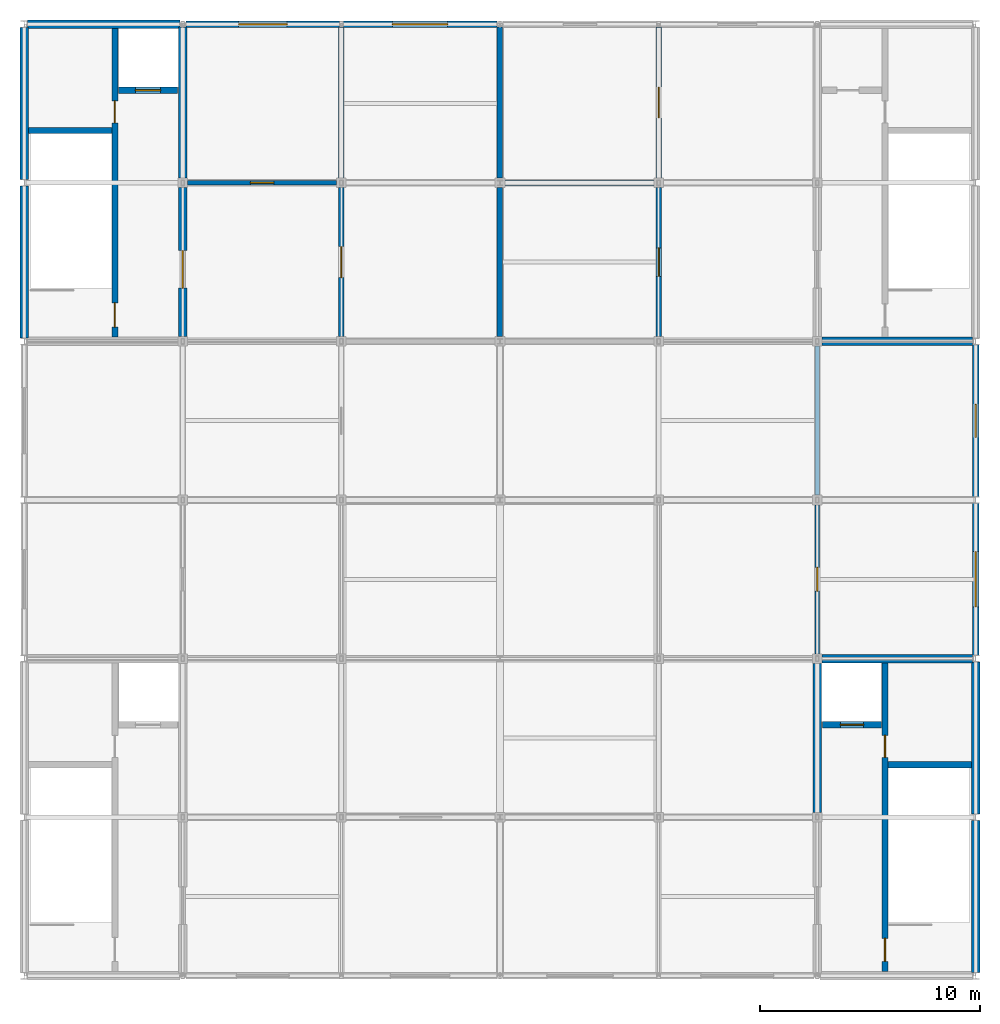
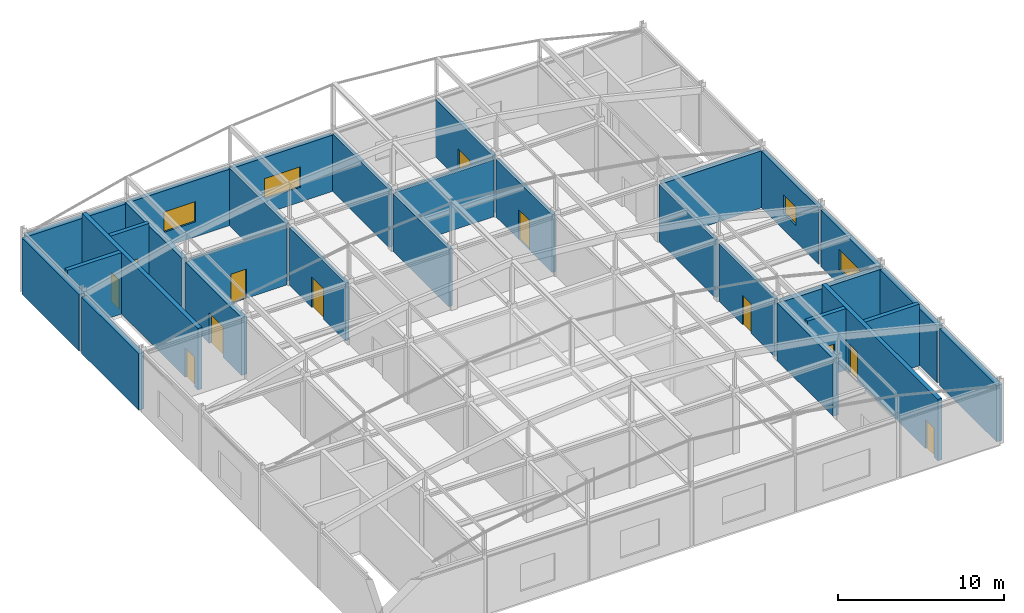
# One storey, part 21 of 23: 30 walls, 12 doors, 4 windows, 16 openings.
"""IFC4 building model written with IfcOpenShell, lengths in metres."""

from ifc_helpers import new_model, si_unit, direction, frame, frame_2d, origin, place, context, subcontext, project, spatial, rectangle, extrude, material, layer, layer_set, type_object, element, fill, save


model = new_model("IFC4")

# Units and contexts
model_context = context("Model", 3, precision=1e-05, world=origin(), true_north=direction((0.0, 1.0)))
body_context = subcontext(model_context, "Body", "Model", "MODEL_VIEW")
ifc_project = project(units=[si_unit("LENGTHUNIT", "METRE"), si_unit("AREAUNIT", "SQUARE_METRE"), si_unit("VOLUMEUNIT", "CUBIC_METRE"), si_unit("PLANEANGLEUNIT", "RADIAN"), si_unit("MASSUNIT", "GRAM", prefix="KILO")], contexts=[model_context])

# Site, building, storey
site_placement = place(None, origin())
site = spatial("IfcSite", under=ifc_project, at=site_placement, CompositionType="ELEMENT")
building_placement = place(site_placement, origin())
building = spatial("IfcBuilding", under=site, at=building_placement, Name="Cendaluz Park School", CompositionType="ELEMENT")
storey_placement = place(building_placement, frame((0.0, 0.0, 67.199951171875)))
storey = spatial("IfcBuildingStorey", under=building, at=storey_placement, Name="L16", CompositionType="ELEMENT", Elevation=67.199951171875)

# Wall, opening, door
ifc_material_1 = material(Name="Gypsum Plasterboard on Cold-Formed Stud", Category="gypsum")
ifc_layer_1 = layer(ifc_material_1, 0.199951171875)
ifc_layer_set_1 = layer_set([ifc_layer_1], Name="Gypsum Plasterboard on Cold-Formed Stud")
wall_type_1 = type_object("IfcWallType", Name="W-AC20", PredefinedType="PARTITIONING", material=ifc_layer_set_1)
wall_1_placement = place(storey_placement, frame((72.219970703125, 50.39990234375, 0.0), z_axis=(0.0, 0.0, 1.0), x_axis=(1.0, 0.0, 0.0)))
wall_1 = element("IfcWall", 1, at=wall_1_placement, inside=storey, type_object=wall_type_1, Name="WL-FQ-BK9", PredefinedType="PARTITIONING", context=body_context, shape_type="SweptSolid", body=[
    extrude(rectangle(XDim=6.760009765625, YDim=0.199951171875, at=frame_2d((3.3798828125, 0.0))), origin(), (0.0, 0.0, 1.0), 4.199951171875),
])
opening_1_placement = place(wall_1_placement, frame((2.85009765625, 0.0, 0.0)))
opening_1 = element("IfcOpeningElement", 2, at=opening_1_placement, cuts=wall_1, Name="Opening DCL-04", PredefinedType="OPENING", context=body_context, shape_type="SweptSolid", body=[
    extrude(rectangle(XDim=1.06005859375, YDim=2.159912109375, at=frame_2d((0.530029296875, 1.080078125))), frame((0.0, 0.112060546875, 0.0), z_axis=(0.0, -1.0, 0.0), x_axis=(1.0, 0.0, 0.0)), (0.0, 0.0, 1.0), 0.223876953125),
])
ifc_material_2 = material(Name="Solid Core Hardwood", Category="wood")
door_type_1 = type_object("IfcDoorType", Name="DCL-04", OperationType="NOTDEFINED", PredefinedType="DOOR", material=ifc_material_2)
door_1_placement = place(opening_1_placement, origin())
door_1 = element("IfcDoor", 3, at=door_1_placement, inside=storey, type_object=door_type_1, Name="D-L16-023", OperationType="SINGLE_SWING_RIGHT", OverallHeight=2.159912109375, OverallWidth=1.06005859375, PredefinedType="DOOR", context=body_context, shape_type="SweptSolid", body=[
    extrude(rectangle(XDim=1.06005859375, YDim=2.159912109375, at=frame_2d((0.530029296875, 1.080078125))), frame((0.0, 0.02490234375, 0.0), z_axis=(0.0, -1.0, 0.0), x_axis=(1.0, 0.0, 0.0)), (0.0, 0.0, 1.0), 0.050048828125),
])
fill(opening_1, door_1)

ifc_layer_2 = layer(ifc_material_1, 0.25)
ifc_layer_set_2 = layer_set([ifc_layer_2], Name="Gypsum Plasterboard on Cold-Formed Stud")
wall_type_2 = type_object("IfcWallType", Name="W-CP25", PredefinedType="PARTITIONING", material=ifc_layer_set_2)
wall_2_placement = place(storey_placement, frame((79.199951171875, 43.419921875, 0.0), z_axis=(0.0, 0.0, 1.0), x_axis=(0.0, 1.0, 0.0)))
wall_2 = element("IfcWall", 4, at=wall_2_placement, inside=storey, type_object=wall_type_2, Name="WL-FQ-BK0", PredefinedType="PARTITIONING", context=body_context, shape_type="SweptSolid", body=[
    extrude(rectangle(XDim=6.760009765625, YDim=0.25, at=frame_2d((3.3798828125, 0.0))), origin(), (0.0, 0.0, 1.0), 4.260009765625),
])
opening_2_placement = place(wall_2_placement, frame((2.679931640625, 0.0, 0.0)))
opening_2 = element("IfcOpeningElement", 5, at=opening_2_placement, cuts=wall_2, Name="Opening DPL-01", PredefinedType="OPENING", context=body_context, shape_type="SweptSolid", body=[
    extrude(rectangle(XDim=1.39990234375, YDim=2.25, at=frame_2d((0.699951171875, 1.125))), frame((0.0, 0.136962890625, 0.0), z_axis=(0.0, -1.0, 0.0), x_axis=(1.0, 0.0, 0.0)), (0.0, 0.0, 1.0), 0.27392578125),
])
door_type_2 = type_object("IfcDoorType", Name="DPL-01", OperationType="DOUBLE_DOOR_SINGLE_SWING", PredefinedType="DOOR", material=ifc_material_2)
door_2_placement = place(opening_2_placement, origin())
door_2 = element("IfcDoor", 6, at=door_2_placement, inside=storey, type_object=door_type_2, Name="D-L16-019", OperationType="DOUBLE_DOOR_SINGLE_SWING", OverallHeight=2.25, OverallWidth=1.39990234375, PredefinedType="DOOR", context=body_context, shape_type="SweptSolid", body=[
    extrude(rectangle(XDim=1.39990234375, YDim=2.25, at=frame_2d((0.699951171875, 1.125))), frame((0.0, 0.02490234375, 0.0), z_axis=(0.0, -1.0, 0.0), x_axis=(1.0, 0.0, 0.0)), (0.0, 0.0, 1.0), 0.050048828125),
])
fill(opening_2, door_2)

# Walls
wall_3_placement = place(storey_placement, frame((86.39990234375, 43.419921875, 0.0), z_axis=(0.0, 0.0, 1.0), x_axis=(0.0, 1.0, 0.0)))
element("IfcWall", 7, at=wall_3_placement, inside=storey, type_object=wall_type_2, Name="WL-FQ-BK1", PredefinedType="PARTITIONING", context=body_context, shape_type="SweptSolid", body=[
    extrude(rectangle(XDim=6.760009765625, YDim=0.25, at=frame_2d((3.3798828125, 0.0))), origin(), (0.0, 0.0, 1.0), 4.260009765625),
])
wall_4_placement = place(storey_placement, frame((79.199951171875, 50.6201171875, 0.0), z_axis=(0.0, 0.0, 1.0), x_axis=(0.0, 1.0, 0.0)))
element("IfcWall", 8, at=wall_4_placement, inside=storey, type_object=wall_type_2, Name="WL-FQ-BK2", PredefinedType="PARTITIONING", context=body_context, shape_type="SweptSolid", body=[
    extrude(rectangle(XDim=6.85498046875, YDim=0.25, at=frame_2d((3.427490234375, 0.0))), origin(), (0.0, 0.0, 1.0), 4.260009765625),
])
wall_5_placement = place(storey_placement, frame((86.39990234375, 50.6201171875, 0.0), z_axis=(0.0, 0.0, 1.0), x_axis=(0.0, 1.0, 0.0)))
element("IfcWall", 9, at=wall_5_placement, inside=storey, type_object=wall_type_2, Name="WL-FQ-BK3", PredefinedType="PARTITIONING", context=body_context, shape_type="SweptSolid", body=[
    extrude(rectangle(XDim=6.84326171875, YDim=0.25, at=frame_2d((3.421630859375, 0.0))), origin(), (0.0, 0.0, 1.0), 4.260009765625),
])
wall_6_placement = place(storey_placement, frame((86.6201171875, 50.39990234375, 0.0), z_axis=(0.0, 0.0, 1.0), x_axis=(1.0, 0.0, 0.0)))
element("IfcWall", 10, at=wall_6_placement, inside=storey, type_object=wall_type_2, Name="WL-FQ-BK4", PredefinedType="PARTITIONING", context=body_context, shape_type="SweptSolid", body=[
    extrude(rectangle(XDim=6.759765625, YDim=0.25, at=frame_2d((3.3798828125, 0.0))), origin(), (0.0, 0.0, 1.0), 4.199951171875),
])

# Wall, opening, door
wall_7_placement = place(storey_placement, frame((93.60009765625, 43.419921875, 0.0), z_axis=(0.0, 0.0, 1.0), x_axis=(0.0, 1.0, 0.0)))
wall_7 = element("IfcWall", 11, at=wall_7_placement, inside=storey, type_object=wall_type_2, Name="WL-FQ-BK5", PredefinedType="PARTITIONING", context=body_context, shape_type="SweptSolid", body=[
    extrude(rectangle(XDim=6.760009765625, YDim=0.25, at=frame_2d((3.3798828125, 0.0))), origin(), (0.0, 0.0, 1.0), 4.260009765625),
])
opening_3_placement = place(wall_7_placement, frame((2.72998046875, 0.0, 0.0)))
opening_3 = element("IfcOpeningElement", 12, at=opening_3_placement, cuts=wall_7, Name="Opening DPL-02", PredefinedType="OPENING", context=body_context, shape_type="SweptSolid", body=[
    extrude(rectangle(XDim=1.300048828125, YDim=2.199951171875, at=frame_2d((0.64990234375, 1.10009765625))), frame((0.0, 0.136962890625, 0.0), z_axis=(0.0, -1.0, 0.0), x_axis=(1.0, 0.0, 0.0)), (0.0, 0.0, 1.0), 0.27392578125),
])
door_type_3 = type_object("IfcDoorType", Name="DPL-02", OperationType="DOUBLE_DOOR_SINGLE_SWING", PredefinedType="DOOR", material=ifc_material_2)
door_3_placement = place(opening_3_placement, frame((1.300048828125, 0.0, 0.0), z_axis=(0.0, 0.0, 1.0), x_axis=(-1.0, 0.0, 0.0)))
door_3 = element("IfcDoor", 13, at=door_3_placement, inside=storey, type_object=door_type_3, Name="D-L16-020", OperationType="DOUBLE_DOOR_SINGLE_SWING", OverallHeight=2.199951171875, OverallWidth=1.300048828125, PredefinedType="DOOR", context=body_context, shape_type="SweptSolid", body=[
    extrude(rectangle(XDim=1.300048828125, YDim=2.199951171875, at=frame_2d((0.64990234375, 1.10009765625))), frame((0.0, 0.02490234375, 0.0), z_axis=(0.0, -1.0, 0.0), x_axis=(1.0, 0.0, 0.0)), (0.0, 0.0, 1.0), 0.050048828125),
])
fill(opening_3, door_3)

wall_8_placement = place(storey_placement, frame((93.60009765625, 50.6201171875, 0.0), z_axis=(0.0, 0.0, 1.0), x_axis=(0.0, 1.0, 0.0)))
wall_8 = element("IfcWall", 14, at=wall_8_placement, inside=storey, type_object=wall_type_2, Name="WL-FQ-BK6", PredefinedType="PARTITIONING", context=body_context, shape_type="SweptSolid", body=[
    extrude(rectangle(XDim=6.85498046875, YDim=0.25, at=frame_2d((3.427490234375, 0.0))), origin(), (0.0, 0.0, 1.0), 4.260009765625),
])
opening_4_placement = place(wall_8_placement, frame((2.7275390625, 0.0, 0.0)))
opening_4 = element("IfcOpeningElement", 15, at=opening_4_placement, cuts=wall_8, Name="Opening DPL-01", PredefinedType="OPENING", context=body_context, shape_type="SweptSolid", body=[
    extrude(rectangle(XDim=1.39990234375, YDim=2.25, at=frame_2d((0.699951171875, 1.125))), frame((0.0, 0.136962890625, 0.0), z_axis=(0.0, -1.0, 0.0), x_axis=(1.0, 0.0, 0.0)), (0.0, 0.0, 1.0), 0.27392578125),
])
door_4_placement = place(opening_4_placement, frame((1.39990234375, 0.0, 0.0), z_axis=(0.0, 0.0, 1.0), x_axis=(-1.0, 0.0, 0.0)))
door_4 = element("IfcDoor", 16, at=door_4_placement, inside=storey, type_object=door_type_2, Name="D-L16-021", OperationType="DOUBLE_DOOR_SINGLE_SWING", OverallHeight=2.25, OverallWidth=1.39990234375, PredefinedType="DOOR", context=body_context, shape_type="SweptSolid", body=[
    extrude(rectangle(XDim=1.39990234375, YDim=2.25, at=frame_2d((0.699951171875, 1.125))), frame((0.0, 0.02490234375, 0.0), z_axis=(0.0, -1.0, 0.0), x_axis=(1.0, 0.0, 0.0)), (0.0, 0.0, 1.0), 0.050048828125),
])
fill(opening_4, door_4)

# Wall, opening, window
ifc_material_3 = material(Name="Cross-laminated timber CLT C24", Category="wood")
ifc_layer_3 = layer(ifc_material_3, 0.300048828125)
ifc_layer_set_3 = layer_set([ifc_layer_3], Name="Cross-laminated timber CLT C24")
wall_type_3 = type_object("IfcWallType", Name="W-EX30", PredefinedType="SOLIDWALL", material=ifc_layer_set_3)
wall_9_placement = place(storey_placement, frame((72.136474609375, 57.60009765625, 0.0), z_axis=(0.0, 0.0, 1.0), x_axis=(1.0, 0.0, 0.0)))
wall_9 = element("IfcWall", 17, at=wall_9_placement, inside=storey, type_object=wall_type_3, Name="WL-FQ-AA3", PredefinedType="SOLIDWALL", context=body_context, shape_type="SweptSolid", body=[
    extrude(rectangle(XDim=6.988525390625, YDim=0.300048828125, at=frame_2d((3.494140625, 0.0))), origin(), (0.0, 0.0, 1.0), 4.16015625),
])
opening_5_placement = place(wall_9_placement, frame((2.394287109375, 0.0, 1.10009765625)))
opening_5 = element("IfcOpeningElement", 18, at=opening_5_placement, cuts=wall_9, Name="Opening WN-18", PredefinedType="OPENING", context=body_context, shape_type="SweptSolid", body=[
    extrude(rectangle(XDim=2.199951171875, YDim=1.5, at=frame_2d((1.10009765625, 0.75))), frame((0.0, 0.162109375, 0.0), z_axis=(0.0, -1.0, 0.0), x_axis=(1.0, 0.0, 0.0)), (0.0, 0.0, 1.0), 0.323974609375),
])
ifc_material_4 = material(Name="Tempered Low-E Double Glazing", Category="glass")
window_type_1 = type_object("IfcWindowType", Name="WN-18", PartitioningType="SINGLE_PANEL", PredefinedType="WINDOW", material=ifc_material_4)
window_1_placement = place(opening_5_placement, origin())
window_1 = element("IfcWindow", 19, at=window_1_placement, inside=storey, type_object=window_type_1, Name="WN-L16-004", OverallHeight=1.5, OverallWidth=2.199951171875, PartitioningType="SINGLE_PANEL", PredefinedType="WINDOW", context=body_context, shape_type="SweptSolid", body=[
    extrude(rectangle(XDim=2.199951171875, YDim=1.5, at=frame_2d((1.10009765625, 0.75))), frame((0.0, 0.030029296875, 0.0), z_axis=(0.0, -1.0, 0.0), x_axis=(1.0, 0.0, 0.0)), (0.0, 0.0, 1.0), 0.06005859375),
])
fill(opening_5, window_1)

wall_10_placement = place(storey_placement, frame((79.27490234375, 57.60009765625, 0.0), z_axis=(0.0, 0.0, 1.0), x_axis=(1.0, 0.0, 0.0)))
wall_10 = element("IfcWall", 20, at=wall_10_placement, inside=storey, type_object=wall_type_3, Name="WL-FQ-AA5", PredefinedType="SOLIDWALL", context=body_context, shape_type="SweptSolid", body=[
    extrude(rectangle(XDim=6.988525390625, YDim=0.300048828125, at=frame_2d((3.494140625, 0.0))), origin(), (0.0, 0.0, 1.0), 4.16015625),
])
opening_6_placement = place(wall_10_placement, frame((2.244384765625, 0.0, 1.10009765625)))
opening_6 = element("IfcOpeningElement", 21, at=opening_6_placement, cuts=wall_10, Name="Opening WN-19", PredefinedType="OPENING", context=body_context, shape_type="SweptSolid", body=[
    extrude(rectangle(XDim=2.5, YDim=1.5, at=frame_2d((1.25, 0.75))), frame((0.0, 0.162109375, 0.0), z_axis=(0.0, -1.0, 0.0), x_axis=(1.0, 0.0, 0.0)), (0.0, 0.0, 1.0), 0.323974609375),
])
window_type_2 = type_object("IfcWindowType", Name="WN-19", PartitioningType="SINGLE_PANEL", PredefinedType="WINDOW", material=ifc_material_4)
window_2_placement = place(opening_6_placement, origin())
window_2 = element("IfcWindow", 22, at=window_2_placement, inside=storey, type_object=window_type_2, Name="WN-L16-006", OverallHeight=1.5, OverallWidth=2.5, PartitioningType="SINGLE_PANEL", PredefinedType="WINDOW", context=body_context, shape_type="SweptSolid", body=[
    extrude(rectangle(XDim=2.5, YDim=1.5, at=frame_2d((1.25, 0.75))), frame((0.0, 0.030029296875, 0.0), z_axis=(0.0, -1.0, 0.0), x_axis=(1.0, 0.0, 0.0)), (0.0, 0.0, 1.0), 0.06005859375),
])
fill(opening_6, window_2)

wall_11_placement = place(storey_placement, frame((108.0, 28.949951171875, 0.0), z_axis=(0.0, 0.0, 1.0), x_axis=(0.0, 1.0, 0.0)))
wall_11 = element("IfcWall", 23, at=wall_11_placement, inside=storey, type_object=wall_type_3, Name="WL-FQ-AB0", PredefinedType="SOLIDWALL", context=body_context, shape_type="SweptSolid", body=[
    extrude(rectangle(XDim=6.905029296875, YDim=0.300048828125, at=frame_2d((3.45263671875, 0.0))), origin(), (0.0, 0.0, 1.0), 4.16015625),
])
opening_7_placement = place(wall_11_placement, frame((2.202392578125, 0.0, 1.10009765625)))
opening_7 = element("IfcOpeningElement", 24, at=opening_7_placement, cuts=wall_11, Name="Opening WN-19", PredefinedType="OPENING", context=body_context, shape_type="SweptSolid", body=[
    extrude(rectangle(XDim=2.5, YDim=1.5, at=frame_2d((1.25, 0.75))), frame((0.0, 0.162109375, 0.0), z_axis=(0.0, -1.0, 0.0), x_axis=(1.0, 0.0, 0.0)), (0.0, 0.0, 1.0), 0.323974609375),
])
window_3_placement = place(opening_7_placement, origin())
window_3 = element("IfcWindow", 25, at=window_3_placement, inside=storey, type_object=window_type_2, Name="WN-L16-011", OverallHeight=1.5, OverallWidth=2.5, PartitioningType="SINGLE_PANEL", PredefinedType="WINDOW", context=body_context, shape_type="SweptSolid", body=[
    extrude(rectangle(XDim=2.5, YDim=1.5, at=frame_2d((1.25, 0.75))), frame((0.0, 0.030029296875, 0.0), z_axis=(0.0, -1.0, 0.0), x_axis=(1.0, 0.0, 0.0)), (0.0, 0.0, 1.0), 0.06005859375),
])
fill(opening_7, window_3)

wall_12_placement = place(storey_placement, frame((108.0, 36.14501953125, 0.0), z_axis=(0.0, 0.0, 1.0), x_axis=(0.0, 1.0, 0.0)))
wall_12 = element("IfcWall", 26, at=wall_12_placement, inside=storey, type_object=wall_type_3, Name="WL-FQ-AB1", PredefinedType="SOLIDWALL", context=body_context, shape_type="SweptSolid", body=[
    extrude(rectangle(XDim=6.905029296875, YDim=0.300048828125, at=frame_2d((3.45263671875, 0.0))), origin(), (0.0, 0.0, 1.0), 4.16015625),
])
opening_8_placement = place(wall_12_placement, frame((2.702392578125, 0.0, 1.199951171875)))
opening_8 = element("IfcOpeningElement", 27, at=opening_8_placement, cuts=wall_12, Name="Opening WN-20", PredefinedType="OPENING", context=body_context, shape_type="SweptSolid", body=[
    extrude(rectangle(XDim=1.5, YDim=1.35009765625, at=frame_2d((0.75, 0.675048828125))), frame((0.0, 0.162109375, 0.0), z_axis=(0.0, -1.0, 0.0), x_axis=(1.0, 0.0, 0.0)), (0.0, 0.0, 1.0), 0.323974609375),
])
window_type_3 = type_object("IfcWindowType", Name="WN-20", PartitioningType="SINGLE_PANEL", PredefinedType="WINDOW", material=ifc_material_4)
window_4_placement = place(opening_8_placement, origin())
window_4 = element("IfcWindow", 28, at=window_4_placement, inside=storey, type_object=window_type_3, Name="WN-L16-012", OverallHeight=1.35009765625, OverallWidth=1.5, PartitioningType="SINGLE_PANEL", PredefinedType="WINDOW", context=body_context, shape_type="SweptSolid", body=[
    extrude(rectangle(XDim=1.5, YDim=1.35009765625, at=frame_2d((0.75, 0.675048828125))), frame((0.0, 0.030029296875, 0.0), z_axis=(0.0, -1.0, 0.0), x_axis=(1.0, 0.0, 0.0)), (0.0, 0.0, 1.0), 0.06005859375),
])
fill(opening_8, window_4)

# Wall, openings, doors
ifc_material_5 = material(Name="Concrete C40/50", Category="concrete")
ifc_layer_4 = layer(ifc_material_5, 0.280029296875)
ifc_layer_set_4 = layer_set([ifc_layer_4], Name="Concrete C40/50")
wall_type_4 = type_object("IfcWallType", Name="W-FW28", PredefinedType="SHEAR", material=ifc_layer_set_4)
wall_13_placement = place(storey_placement, frame((103.8798828125, 14.60009765625, 0.0), z_axis=(0.0, 0.0, 1.0), x_axis=(0.0, 1.0, 0.0)))
wall_13 = element("IfcWall", 29, at=wall_13_placement, inside=storey, type_object=wall_type_4, Name="WL-FQ-BG7", PredefinedType="SHEAR", context=body_context, shape_type="SweptSolid", body=[
    extrude(rectangle(XDim=14.0, YDim=0.280029296875, at=frame_2d((7.0, 0.0))), origin(), (0.0, 0.0, 1.0), 4.5400390625),
])
opening_9_placement = place(wall_13_placement, frame((0.449951171875, 0.0, 0.0)))
opening_9 = element("IfcOpeningElement", 30, at=opening_9_placement, cuts=wall_13, Name="Opening DST-02", PredefinedType="OPENING", context=body_context, shape_type="SweptSolid", body=[
    extrude(rectangle(XDim=1.050048828125, YDim=2.14990234375, at=frame_2d((0.52490234375, 1.074951171875))), frame((0.0, 0.152099609375, 0.0), z_axis=(0.0, -1.0, 0.0), x_axis=(1.0, 0.0, 0.0)), (0.0, 0.0, 1.0), 0.303955078125),
])
opening_10_placement = place(wall_13_placement, frame((9.719970703125, 0.0, 0.0)))
opening_10 = element("IfcOpeningElement", 31, at=opening_10_placement, cuts=wall_13, Name="Opening DFC-01", PredefinedType="OPENING", context=body_context, shape_type="SweptSolid", body=[
    extrude(rectangle(XDim=1.0, YDim=2.14990234375, at=frame_2d((0.5, 1.074951171875))), frame((0.0, 0.152099609375, 0.0), z_axis=(0.0, -1.0, 0.0), x_axis=(1.0, 0.0, 0.0)), (0.0, 0.0, 1.0), 0.303955078125),
])
door_type_4 = type_object("IfcDoorType", Name="DFC-01", OperationType="NOTDEFINED", PredefinedType="DOOR", material=ifc_material_2)
door_5_placement = place(opening_10_placement, frame((1.0, 0.0, 0.0), z_axis=(0.0, 0.0, 1.0), x_axis=(-1.0, 0.0, 0.0)))
door_5 = element("IfcDoor", 32, at=door_5_placement, inside=storey, type_object=door_type_4, Name="D-L16-007", OperationType="SINGLE_SWING_RIGHT", OverallHeight=2.14990234375, OverallWidth=1.0, PredefinedType="DOOR", context=body_context, shape_type="SweptSolid", body=[
    extrude(rectangle(XDim=1.0, YDim=2.14990234375, at=frame_2d((0.5, 1.074951171875))), frame((0.0, 0.02490234375, 0.0), z_axis=(0.0, -1.0, 0.0), x_axis=(1.0, 0.0, 0.0)), (0.0, 0.0, 1.0), 0.050048828125),
])
fill(opening_10, door_5)
door_type_5 = type_object("IfcDoorType", Name="DST-02", OperationType="NOTDEFINED", PredefinedType="DOOR", material=ifc_material_2)
door_6_placement = place(opening_9_placement, frame((1.050048828125, 0.0, 0.0), z_axis=(0.0, 0.0, 1.0), x_axis=(-1.0, 0.0, 0.0)))
door_6 = element("IfcDoor", 33, at=door_6_placement, inside=storey, type_object=door_type_5, Name="D-L16-006", OperationType="SINGLE_SWING_RIGHT", OverallHeight=2.14990234375, OverallWidth=1.050048828125, PredefinedType="DOOR", context=body_context, shape_type="SweptSolid", body=[
    extrude(rectangle(XDim=1.050048828125, YDim=2.14990234375, at=frame_2d((0.52490234375, 1.074951171875))), frame((0.0, 0.02490234375, 0.0), z_axis=(0.0, -1.0, 0.0), x_axis=(1.0, 0.0, 0.0)), (0.0, 0.0, 1.0), 0.050048828125),
])
fill(opening_9, door_6)

# Wall
wall_14_placement = place(storey_placement, frame((104.02001953125, 23.97998046875, 0.0), z_axis=(0.0, 0.0, 1.0), x_axis=(1.0, 0.0, 0.0)))
element("IfcWall", 34, at=wall_14_placement, inside=storey, type_object=wall_type_4, Name="WL-FQ-BG8", PredefinedType="SHEAR", context=body_context, shape_type="SweptSolid", body=[
    extrude(rectangle(XDim=3.780029296875, YDim=0.280029296875, at=frame_2d((1.89013671875, 0.0))), origin(), (0.0, 0.0, 1.0), 4.5400390625),
])

# Wall, opening, door
wall_15_placement = place(storey_placement, frame((101.0400390625, 25.800048828125, 0.0), z_axis=(0.0, 0.0, 1.0), x_axis=(1.0, 0.0, 0.0)))
wall_15 = element("IfcWall", 35, at=wall_15_placement, inside=storey, type_object=wall_type_4, Name="WL-FQ-BG9", PredefinedType="SHEAR", context=body_context, shape_type="SweptSolid", body=[
    extrude(rectangle(XDim=2.679931640625, YDim=0.280029296875, at=frame_2d((1.33984375, 0.0))), origin(), (0.0, 0.0, 1.0), 4.5400390625),
])
opening_11_placement = place(wall_15_placement, frame((0.81494140625, 0.0, 0.0)))
opening_11 = element("IfcOpeningElement", 36, at=opening_11_placement, cuts=wall_15, Name="Opening LD-02", PredefinedType="OPENING", context=body_context, shape_type="SweptSolid", body=[
    extrude(rectangle(XDim=1.050048828125, YDim=2.199951171875, at=frame_2d((0.52490234375, 1.10009765625))), frame((0.0, 0.152099609375, 0.0), z_axis=(0.0, -1.0, 0.0), x_axis=(1.0, 0.0, 0.0)), (0.0, 0.0, 1.0), 0.303955078125),
])
ifc_material_6 = material(Name="Stainless Steel 316L", Category="steel")
door_type_6 = type_object("IfcDoorType", Name="LD-02", OperationType="DOUBLE_DOOR_SLIDING", PredefinedType="DOOR", material=ifc_material_6)
door_7_placement = place(opening_11_placement, frame((1.050048828125, 0.0, 0.0), z_axis=(0.0, 0.0, 1.0), x_axis=(-1.0, 0.0, 0.0)))
door_7 = element("IfcDoor", 37, at=door_7_placement, inside=storey, type_object=door_type_6, Name="D-L16-008", OperationType="DOUBLE_DOOR_SLIDING", OverallHeight=2.199951171875, OverallWidth=1.050048828125, PredefinedType="DOOR", context=body_context, shape_type="SweptSolid", body=[
    extrude(rectangle(XDim=1.050048828125, YDim=2.199951171875, at=frame_2d((0.52490234375, 1.10009765625))), frame((0.0, 0.02490234375, 0.0), z_axis=(0.0, -1.0, 0.0), x_axis=(1.0, 0.0, 0.0)), (0.0, 0.0, 1.0), 0.050048828125),
])
fill(opening_11, door_7)

# Wall, openings, doors
wall_16_placement = place(storey_placement, frame((68.919921875, 43.39990234375, 0.0), z_axis=(0.0, 0.0, 1.0), x_axis=(0.0, 1.0, 0.0)))
wall_16 = element("IfcWall", 38, at=wall_16_placement, inside=storey, type_object=wall_type_4, Name="WL-FQ-BH6", PredefinedType="SHEAR", context=body_context, shape_type="SweptSolid", body=[
    extrude(rectangle(XDim=14.0, YDim=0.280029296875, at=frame_2d((7.0, 0.0))), origin(), (0.0, 0.0, 1.0), 4.5400390625),
])
opening_12_placement = place(wall_16_placement, frame((0.449951171875, 0.0, 0.0)))
opening_12 = element("IfcOpeningElement", 39, at=opening_12_placement, cuts=wall_16, Name="Opening DST-01", PredefinedType="OPENING", context=body_context, shape_type="SweptSolid", body=[
    extrude(rectangle(XDim=1.10009765625, YDim=2.14990234375, at=frame_2d((0.550048828125, 1.074951171875))), frame((0.0, 0.152099609375, 0.0), z_axis=(0.0, -1.0, 0.0), x_axis=(1.0, 0.0, 0.0)), (0.0, 0.0, 1.0), 0.303955078125),
])
opening_13_placement = place(wall_16_placement, frame((9.719970703125, 0.0, 0.0)))
opening_13 = element("IfcOpeningElement", 40, at=opening_13_placement, cuts=wall_16, Name="Opening DFC-01", PredefinedType="OPENING", context=body_context, shape_type="SweptSolid", body=[
    extrude(rectangle(XDim=1.0, YDim=2.14990234375, at=frame_2d((0.5, 1.074951171875))), frame((0.0, 0.152099609375, 0.0), z_axis=(0.0, -1.0, 0.0), x_axis=(1.0, 0.0, 0.0)), (0.0, 0.0, 1.0), 0.303955078125),
])
door_8_placement = place(opening_13_placement, origin())
door_8 = element("IfcDoor", 41, at=door_8_placement, inside=storey, type_object=door_type_4, Name="D-L16-011", OperationType="SINGLE_SWING_RIGHT", OverallHeight=2.14990234375, OverallWidth=1.0, PredefinedType="DOOR", context=body_context, shape_type="SweptSolid", body=[
    extrude(rectangle(XDim=1.0, YDim=2.14990234375, at=frame_2d((0.5, 1.074951171875))), frame((0.0, 0.02490234375, 0.0), z_axis=(0.0, -1.0, 0.0), x_axis=(1.0, 0.0, 0.0)), (0.0, 0.0, 1.0), 0.050048828125),
])
fill(opening_13, door_8)
door_type_7 = type_object("IfcDoorType", Name="DST-01", OperationType="NOTDEFINED", PredefinedType="DOOR", material=ifc_material_2)
door_9_placement = place(opening_12_placement, origin())
door_9 = element("IfcDoor", 42, at=door_9_placement, inside=storey, type_object=door_type_7, Name="D-L16-010", OperationType="SINGLE_SWING_LEFT", OverallHeight=2.14990234375, OverallWidth=1.10009765625, PredefinedType="DOOR", context=body_context, shape_type="SweptSolid", body=[
    extrude(rectangle(XDim=1.10009765625, YDim=2.14990234375, at=frame_2d((0.550048828125, 1.074951171875))), frame((0.0, 0.02490234375, 0.0), z_axis=(0.0, -1.0, 0.0), x_axis=(1.0, 0.0, 0.0)), (0.0, 0.0, 1.0), 0.050048828125),
])
fill(opening_12, door_9)

# Wall
wall_17_placement = place(storey_placement, frame((65.0, 52.780029296875, 0.0), z_axis=(0.0, 0.0, 1.0), x_axis=(1.0, 0.0, 0.0)))
element("IfcWall", 43, at=wall_17_placement, inside=storey, type_object=wall_type_4, Name="WL-FQ-BH7", PredefinedType="SHEAR", context=body_context, shape_type="SweptSolid", body=[
    extrude(rectangle(XDim=3.780029296875, YDim=0.280029296875, at=frame_2d((1.89013671875, 0.0))), origin(), (0.0, 0.0, 1.0), 4.5400390625),
])

# Wall, opening, door
wall_18_placement = place(storey_placement, frame((69.080078125, 54.60009765625, 0.0), z_axis=(0.0, 0.0, 1.0), x_axis=(1.0, 0.0, 0.0)))
wall_18 = element("IfcWall", 44, at=wall_18_placement, inside=storey, type_object=wall_type_4, Name="WL-FQ-BH8", PredefinedType="SHEAR", context=body_context, shape_type="SweptSolid", body=[
    extrude(rectangle(XDim=2.679931640625, YDim=0.280029296875, at=frame_2d((1.33984375, 0.0))), origin(), (0.0, 0.0, 1.0), 4.5400390625),
])
opening_14_placement = place(wall_18_placement, frame((0.764892578125, 0.0, 0.0)))
opening_14 = element("IfcOpeningElement", 45, at=opening_14_placement, cuts=wall_18, Name="Opening LD-01", PredefinedType="OPENING", context=body_context, shape_type="SweptSolid", body=[
    extrude(rectangle(XDim=1.14990234375, YDim=2.199951171875, at=frame_2d((0.574951171875, 1.10009765625))), frame((0.0, 0.152099609375, 0.0), z_axis=(0.0, -1.0, 0.0), x_axis=(1.0, 0.0, 0.0)), (0.0, 0.0, 1.0), 0.303955078125),
])
door_type_8 = type_object("IfcDoorType", Name="LD-01", OperationType="DOUBLE_DOOR_SLIDING", PredefinedType="DOOR", material=ifc_material_6)
door_10_placement = place(opening_14_placement, frame((1.14990234375, 0.0, 0.0), z_axis=(0.0, 0.0, 1.0), x_axis=(-1.0, 0.0, 0.0)))
door_10 = element("IfcDoor", 46, at=door_10_placement, inside=storey, type_object=door_type_8, Name="D-L16-012", OperationType="DOUBLE_DOOR_SLIDING", OverallHeight=2.199951171875, OverallWidth=1.14990234375, PredefinedType="DOOR", context=body_context, shape_type="SweptSolid", body=[
    extrude(rectangle(XDim=1.14990234375, YDim=2.199951171875, at=frame_2d((0.574951171875, 1.10009765625))), frame((0.0, 0.02490234375, 0.0), z_axis=(0.0, -1.0, 0.0), x_axis=(1.0, 0.0, 0.0)), (0.0, 0.0, 1.0), 0.050048828125),
])
fill(opening_14, door_10)

ifc_layer_5 = layer(ifc_material_1, 0.219970703125)
ifc_layer_set_5 = layer_set([ifc_layer_5], Name="Gypsum Plasterboard on Cold-Formed Stud")
wall_type_5 = type_object("IfcWallType", Name="W-LB22", PredefinedType="PARTITIONING", material=ifc_layer_set_5)
wall_19_placement = place(storey_placement, frame((100.800048828125, 29.02001953125, 0.0), z_axis=(0.0, 0.0, 1.0), x_axis=(0.0, 1.0, 0.0)))
wall_19 = element("IfcWall", 47, at=wall_19_placement, inside=storey, type_object=wall_type_5, Name="WL-FQ-BL0", PredefinedType="PARTITIONING", context=body_context, shape_type="SweptSolid", body=[
    extrude(rectangle(XDim=6.760009765625, YDim=0.219970703125, at=frame_2d((3.3798828125, 0.0))), origin(), (0.0, 0.0, 1.0), 4.260009765625),
])
opening_15_placement = place(wall_19_placement, frame((2.840087890625, 0.0, 0.0)))
opening_15 = element("IfcOpeningElement", 48, at=opening_15_placement, cuts=wall_19, Name="Opening DCL-05", PredefinedType="OPENING", context=body_context, shape_type="SweptSolid", body=[
    extrude(rectangle(XDim=1.080078125, YDim=2.179931640625, at=frame_2d((0.5400390625, 1.08984375))), frame((0.0, 0.1220703125, 0.0), z_axis=(0.0, -1.0, 0.0), x_axis=(1.0, 0.0, 0.0)), (0.0, 0.0, 1.0), 0.243896484375),
])
door_type_9 = type_object("IfcDoorType", Name="DCL-05", OperationType="NOTDEFINED", PredefinedType="DOOR", material=ifc_material_2)
door_11_placement = place(opening_15_placement, origin())
door_11 = element("IfcDoor", 49, at=door_11_placement, inside=storey, type_object=door_type_9, Name="D-L16-024", OperationType="SINGLE_SWING_LEFT", OverallHeight=2.179931640625, OverallWidth=1.080078125, PredefinedType="DOOR", context=body_context, shape_type="SweptSolid", body=[
    extrude(rectangle(XDim=1.080078125, YDim=2.179931640625, at=frame_2d((0.5400390625, 1.08984375))), frame((0.0, 0.02490234375, 0.0), z_axis=(0.0, -1.0, 0.0), x_axis=(1.0, 0.0, 0.0)), (0.0, 0.0, 1.0), 0.050048828125),
])
fill(opening_15, door_11)

# Walls
wall_20_placement = place(storey_placement, frame((100.800048828125, 36.219970703125, 0.0), z_axis=(0.0, 0.0, 1.0), x_axis=(0.0, 1.0, 0.0)))
element("IfcWall", 50, at=wall_20_placement, inside=storey, type_object=wall_type_5, Name="WL-FQ-BL1", PredefinedType="PARTITIONING", context=body_context, shape_type="SweptSolid", body=[
    extrude(rectangle(XDim=6.760009765625, YDim=0.219970703125, at=frame_2d((3.3798828125, 0.0))), origin(), (0.0, 0.0, 1.0), 4.260009765625),
])
ifc_layer_6 = layer(ifc_material_5, 0.3798828125)
ifc_layer_set_6 = layer_set([ifc_layer_6], Name="Concrete C40/50")
wall_type_6 = type_object("IfcWallType", Name="W-SH38", PredefinedType="SHEAR", material=ifc_layer_set_6)
wall_21_placement = place(storey_placement, frame((100.800048828125, 21.820068359375, 0.0), z_axis=(0.0, 0.0, 1.0), x_axis=(0.0, 1.0, 0.0)))
element("IfcWall", 51, at=wall_21_placement, inside=storey, type_object=wall_type_6, Name="WL-FQ-BG2", PredefinedType="SHEAR", context=body_context, shape_type="SweptSolid", body=[
    extrude(rectangle(XDim=6.760009765625, YDim=0.3798828125, at=frame_2d((3.3798828125, 0.0))), origin(), (0.0, 0.0, 1.0), 4.260009765625),
])
wall_22_placement = place(storey_placement, frame((108.0, 14.550048828125, 0.0), z_axis=(0.0, 0.0, 1.0), x_axis=(0.0, 1.0, 0.0)))
element("IfcWall", 52, at=wall_22_placement, inside=storey, type_object=wall_type_6, Name="WL-FQ-BG3", PredefinedType="SHEAR", context=body_context, shape_type="SweptSolid", body=[
    extrude(rectangle(XDim=6.905029296875, YDim=0.3798828125, at=frame_2d((3.45263671875, 0.0))), origin(), (0.0, 0.0, 1.0), 4.16015625),
])
wall_23_placement = place(storey_placement, frame((108.0, 21.7451171875, 0.0), z_axis=(0.0, 0.0, 1.0), x_axis=(0.0, 1.0, 0.0)))
element("IfcWall", 53, at=wall_23_placement, inside=storey, type_object=wall_type_6, Name="WL-FQ-BG4", PredefinedType="SHEAR", context=body_context, shape_type="SweptSolid", body=[
    extrude(rectangle(XDim=6.90478515625, YDim=0.3798828125, at=frame_2d((3.452392578125, 0.0))), origin(), (0.0, 0.0, 1.0), 4.16015625),
])
wall_24_placement = place(storey_placement, frame((101.02001953125, 28.800048828125, 0.0), z_axis=(0.0, 0.0, 1.0), x_axis=(1.0, 0.0, 0.0)))
element("IfcWall", 54, at=wall_24_placement, inside=storey, type_object=wall_type_6, Name="WL-FQ-BG6", PredefinedType="SHEAR", context=body_context, shape_type="SweptSolid", body=[
    extrude(rectangle(XDim=6.830078125, YDim=0.3798828125, at=frame_2d((3.4150390625, 0.0))), origin(), (0.0, 0.0, 1.0), 4.199951171875),
])
wall_25_placement = place(storey_placement, frame((64.800048828125, 43.35009765625, 0.0), z_axis=(0.0, 0.0, 1.0), x_axis=(0.0, 1.0, 0.0)))
element("IfcWall", 55, at=wall_25_placement, inside=storey, type_object=wall_type_6, Name="WL-FQ-BH0", PredefinedType="SHEAR", context=body_context, shape_type="SweptSolid", body=[
    extrude(rectangle(XDim=6.90478515625, YDim=0.3798828125, at=frame_2d((3.452392578125, 0.0))), origin(), (0.0, 0.0, 1.0), 4.16015625),
])
wall_26_placement = place(storey_placement, frame((64.800048828125, 50.544921875, 0.0), z_axis=(0.0, 0.0, 1.0), x_axis=(0.0, 1.0, 0.0)))
element("IfcWall", 56, at=wall_26_placement, inside=storey, type_object=wall_type_6, Name="WL-FQ-BH1", PredefinedType="SHEAR", context=body_context, shape_type="SweptSolid", body=[
    extrude(rectangle(XDim=6.905029296875, YDim=0.3798828125, at=frame_2d((3.45263671875, 0.0))), origin(), (0.0, 0.0, 1.0), 4.16015625),
])

# Wall, opening, door
wall_27_placement = place(storey_placement, frame((72.0, 43.419921875, 0.0), z_axis=(0.0, 0.0, 1.0), x_axis=(0.0, 1.0, 0.0)))
wall_27 = element("IfcWall", 57, at=wall_27_placement, inside=storey, type_object=wall_type_6, Name="WL-FQ-BH2", PredefinedType="SHEAR", context=body_context, shape_type="SweptSolid", body=[
    extrude(rectangle(XDim=6.760009765625, YDim=0.3798828125, at=frame_2d((3.3798828125, 0.0))), origin(), (0.0, 0.0, 1.0), 4.260009765625),
])
opening_16_placement = place(wall_27_placement, frame((2.199951171875, 0.0, 0.0)))
opening_16 = element("IfcOpeningElement", 58, at=opening_16_placement, cuts=wall_27, Name="Opening DLB-02", PredefinedType="OPENING", context=body_context, shape_type="SweptSolid", body=[
    extrude(rectangle(XDim=1.699951171875, YDim=2.25, at=frame_2d((0.85009765625, 1.125))), frame((0.0, 0.201904296875, 0.0), z_axis=(0.0, -1.0, 0.0), x_axis=(1.0, 0.0, 0.0)), (0.0, 0.0, 1.0), 0.40380859375),
])
door_type_10 = type_object("IfcDoorType", Name="DLB-02", OperationType="DOUBLE_DOOR_SINGLE_SWING", PredefinedType="DOOR", material=ifc_material_2)
door_12_placement = place(opening_16_placement, origin())
door_12 = element("IfcDoor", 59, at=door_12_placement, inside=storey, type_object=door_type_10, Name="D-L16-009", OperationType="DOUBLE_DOOR_SINGLE_SWING", OverallHeight=2.25, OverallWidth=1.699951171875, PredefinedType="DOOR", context=body_context, shape_type="SweptSolid", body=[
    extrude(rectangle(XDim=1.699951171875, YDim=2.25, at=frame_2d((0.85009765625, 1.125))), frame((0.0, 0.02490234375, 0.0), z_axis=(0.0, -1.0, 0.0), x_axis=(1.0, 0.0, 0.0)), (0.0, 0.0, 1.0), 0.050048828125),
])
fill(opening_16, door_12)

# Walls
wall_28_placement = place(storey_placement, frame((72.0, 50.6201171875, 0.0), z_axis=(0.0, 0.0, 1.0), x_axis=(0.0, 1.0, 0.0)))
element("IfcWall", 60, at=wall_28_placement, inside=storey, type_object=wall_type_6, Name="WL-FQ-BH3", PredefinedType="SHEAR", context=body_context, shape_type="SweptSolid", body=[
    extrude(rectangle(XDim=6.84326171875, YDim=0.3798828125, at=frame_2d((3.421630859375, 0.0))), origin(), (0.0, 0.0, 1.0), 4.260009765625),
])
wall_29_placement = place(storey_placement, frame((64.949951171875, 57.60009765625, 0.0), z_axis=(0.0, 0.0, 1.0), x_axis=(1.0, 0.0, 0.0)))
element("IfcWall", 61, at=wall_29_placement, inside=storey, type_object=wall_type_6, Name="WL-FQ-BH5", PredefinedType="SHEAR", context=body_context, shape_type="SweptSolid", body=[
    extrude(rectangle(XDim=6.91357421875, YDim=0.3798828125, at=frame_2d((3.456787109375, 0.0))), origin(), (0.0, 0.0, 1.0), 4.16015625),
])
wall_30_placement = place(storey_placement, frame((101.02001953125, 43.199951171875, 0.0), z_axis=(0.0, 0.0, 1.0), x_axis=(1.0, 0.0, 0.0)))
element("IfcWall", 62, at=wall_30_placement, inside=storey, type_object=wall_type_6, Name="WL-FQ-BI3", PredefinedType="SHEAR", context=body_context, shape_type="SweptSolid", body=[
    extrude(rectangle(XDim=6.830078125, YDim=0.3798828125, at=frame_2d((3.4150390625, 0.0))), origin(), (0.0, 0.0, 1.0), 4.199951171875),
])

save(model, "model.ifc")
